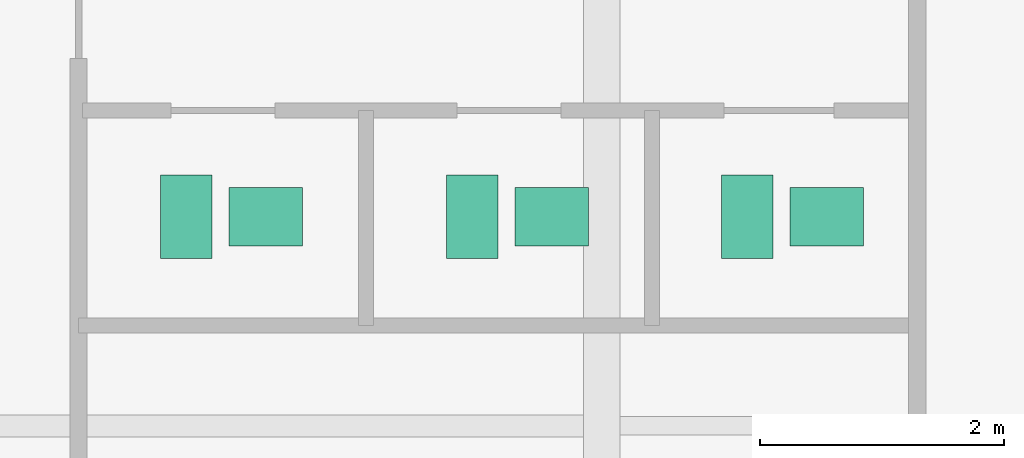
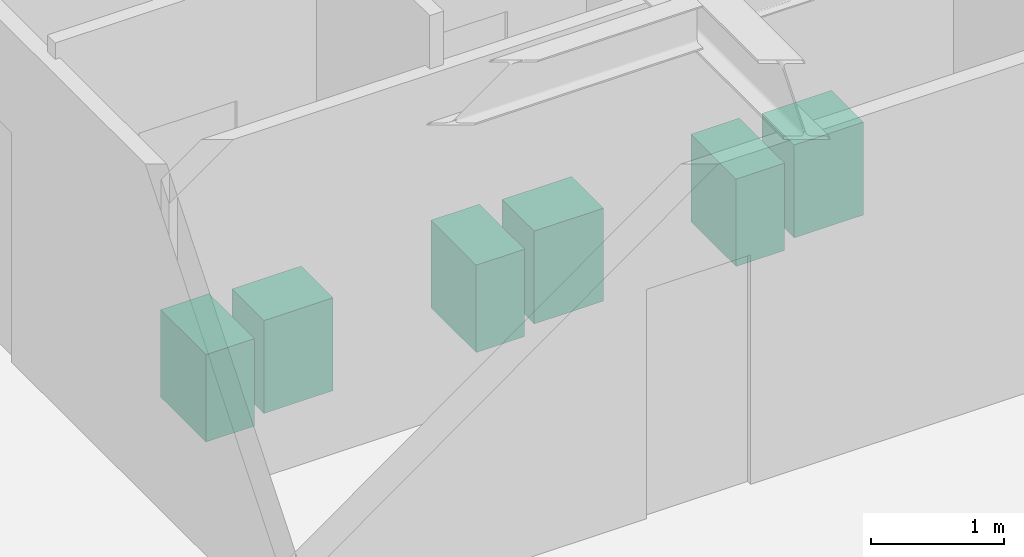
# One storey, part 24 of 24: 6 sanitary terminals.
"""IFC4 building model written with IfcOpenShell, lengths in metres."""

import ifcopenshell
import ifcopenshell.guid

model = None  # the IFC model being written
_history = None  # IfcOwnerHistory: only IFC2X3 demands one
_inside = {}  # id of a spatial element -> (the spatial element, [elements in it])
_under = {}  # id of a project, library or spatial element -> (it, [spatial elements below it])
_declared = {}  # id of a project -> (the project, [libraries it declares])
_typed = {}  # id of a type object -> (the type object, [elements of that type])
_made_of = {}  # id of a material, layer set ... -> (it, [elements and type objects made of it])


def new_model(schema):
    """Start an empty IFC model of exactly this schema.

    Asked for "IFC4X3", IfcOpenShell would pick the latest addendum, in which some entities
    have other attributes; the version numbers below select the first issue.
    IFC2X3 requires an IfcOwnerHistory on every rooted entity: one is made here for all.
    """
    global model, _history
    if schema == "IFC4X3":
        model = ifcopenshell.file(schema_version=(4, 3, 0, 0))
    else:
        model = ifcopenshell.file(schema=schema)
    _inside.clear()
    _under.clear()
    _declared.clear()
    _typed.clear()
    _made_of.clear()
    _history = None
    if model.schema == "IFC2X3":
        org = make("IfcOrganization", Name="unknown")
        user = make(
            "IfcPersonAndOrganization",
            ThePerson=make("IfcPerson", FamilyName="unknown"),
            TheOrganization=org,
        )
        app = make(
            "IfcApplication",
            ApplicationDeveloper=org,
            Version="unknown",
            ApplicationFullName="unknown",
            ApplicationIdentifier="unknown",
        )
        _history = make(
            "IfcOwnerHistory",
            OwningUser=user,
            OwningApplication=app,
            ChangeAction="ADDED",
            CreationDate=0,
        )
    return model


def make(cls, **values):
    """One entity of the class cls with the attributes given. An attribute that is None is left unset."""
    return model.create_entity(
        cls, **{name: value for name, value in values.items() if value is not None}
    )


def rooted(cls, **values):
    """An entity with a GlobalId (a new one), such as an element, a storey or a relation."""
    return make(cls, GlobalId=ifcopenshell.guid.new(), OwnerHistory=_history, **values)


def si_unit(unit_type, name, prefix=None):
    """IfcSIUnit, for example si_unit("LENGTHUNIT", "METRE", prefix="MILLI")."""
    return make("IfcSIUnit", UnitType=unit_type, Prefix=prefix, Name=name)


def assignment(units):
    """IfcUnitAssignment: the units of a project."""
    return None if units is None else make("IfcUnitAssignment", Units=units)


def point(xyz):
    """IfcCartesianPoint."""
    return None if xyz is None else make("IfcCartesianPoint", Coordinates=xyz)


def direction(xyz):
    """IfcDirection."""
    return None if xyz is None else make("IfcDirection", DirectionRatios=xyz)


def frame(location, z_axis=None, x_axis=None):
    """IfcAxis2Placement3D, a coordinate frame: its origin and axes. An axis left out is left unset."""
    return make(
        "IfcAxis2Placement3D",
        Location=point(location),
        Axis=direction(z_axis),
        RefDirection=direction(x_axis),
    )


def frame_2d(location, x_axis=None):
    """IfcAxis2Placement2D, a coordinate frame in the plane: its origin and x axis."""
    return make(
        "IfcAxis2Placement2D", Location=point(location), RefDirection=direction(x_axis)
    )


def origin():
    """The frame at (0, 0, 0) with its axes left unset."""
    return frame((0.0, 0.0, 0.0))


def origin_2d():
    """The frame at (0, 0) in the plane with its x axis left unset."""
    return frame_2d((0.0, 0.0))


def place(relative_to, where):
    """IfcLocalPlacement: puts the frame where relative to a parent placement (None: the world)."""
    return make(
        "IfcLocalPlacement", PlacementRelTo=relative_to, RelativePlacement=where
    )


def context(
    kind, dimensions, precision=None, world=None, true_north=None, identifier=None
):
    """IfcGeometricRepresentationContext, for example the 3D "Model" context."""
    return make(
        "IfcGeometricRepresentationContext",
        ContextIdentifier=identifier,
        ContextType=kind,
        CoordinateSpaceDimension=dimensions,
        Precision=precision,
        WorldCoordinateSystem=world,
        TrueNorth=true_north,
    )


def subcontext(parent, identifier, kind, view, scale=None):
    """IfcGeometricRepresentationSubContext, for example "Body" below "Model"."""
    return make(
        "IfcGeometricRepresentationSubContext",
        ContextIdentifier=identifier,
        ContextType=kind,
        ParentContext=parent,
        TargetScale=scale,
        TargetView=view,
    )


def project(units=None, contexts=None):
    """IfcProject with its units and contexts."""
    return rooted(
        "IfcProject",
        Name="project",
        RepresentationContexts=contexts,
        UnitsInContext=assignment(units),
    )


def spatial(cls, under=None, at=None, **own):
    """A site, building, storey or space (cls), placed at a placement, below another one or the project."""
    s = rooted(cls, ObjectPlacement=at, **own)
    if under is not None:
        _under.setdefault(under.id(), (under, []))[1].append(s)
    return s


def profile(cls, at=None, kind="AREA", **sizes):
    """A parametric profile (cls). Its sizes go by their IFC names, for example OverallWidth=200.0."""
    return make(cls, ProfileType=kind, Position=at, **sizes)


def rectangle(**sizes):
    """IfcRectangleProfileDef."""
    return profile("IfcRectangleProfileDef", **sizes)


def extrude(swept, where, along, depth):
    """IfcExtrudedAreaSolid: the profile swept, set in the frame where, extruded along a direction by depth."""
    return make(
        "IfcExtrudedAreaSolid",
        SweptArea=swept,
        Position=where,
        ExtrudedDirection=direction(along),
        Depth=depth,
    )


def shape(context_of_items, identifier, shape_type, items):
    """IfcShapeRepresentation: the items that make up one representation, for example the "Body"."""
    return make(
        "IfcShapeRepresentation",
        ContextOfItems=context_of_items,
        RepresentationIdentifier=identifier,
        RepresentationType=shape_type,
        Items=items,
    )


def source(mapping_origin, context_of_items, identifier, shape_type, items):
    """IfcRepresentationMap: a shape defined once, which mapped items show again and again."""
    return make(
        "IfcRepresentationMap",
        MappingOrigin=mapping_origin,
        MappedRepresentation=shape(context_of_items, identifier, shape_type, items),
    )


def transform(
    local_origin,
    x_axis=None,
    y_axis=None,
    z_axis=None,
    scale=None,
    scale2=None,
    scale3=None,
    uniform=True,
):
    """IfcCartesianTransformationOperator3D, or its non-uniform kind. x_axis, y_axis, z_axis: its Axis1, 2, 3."""
    if uniform:
        return make(
            "IfcCartesianTransformationOperator3D",
            Axis1=direction(x_axis),
            Axis2=direction(y_axis),
            LocalOrigin=point(local_origin),
            Scale=scale,
            Axis3=direction(z_axis),
        )
    return make(
        "IfcCartesianTransformationOperator3DnonUniform",
        Axis1=direction(x_axis),
        Axis2=direction(y_axis),
        LocalOrigin=point(local_origin),
        Scale=scale,
        Axis3=direction(z_axis),
        Scale2=scale2,
        Scale3=scale3,
    )


def mapped(mapping_source, mapping_target):
    """IfcMappedItem: shows the shape of a source again, moved by a transform."""
    return make(
        "IfcMappedItem", MappingSource=mapping_source, MappingTarget=mapping_target
    )


def material(Name=None, Category=None):
    """IfcMaterial."""
    return make("IfcMaterial", Name=Name, Category=Category)


def made_of(thing, what):
    """Note that an element or type object is made of a material, layer set ...; save() writes the relation."""
    if what is not None:
        _made_of.setdefault(what.id(), (what, []))[1].append(thing)
    return thing


def type_object(cls, material=None, **own):
    """A type object (cls), such as IfcWallType, which elements share."""
    return made_of(rooted(cls, **own), material)


def type_shapes(of_type, sources):
    """Give a type object the sources (RepresentationMaps) that its elements show as mapped items."""
    of_type.RepresentationMaps = sources


def element(
    cls,
    number,
    at=None,
    inside=None,
    cuts=None,
    type_object=None,
    material=None,
    context=None,
    identifier="Body",
    shape_type=None,
    held_by="IfcProductDefinitionShape",
    body=None,
    shapes=None,
    **own,
):
    """One element of the class cls, such as IfcWall. Its Tag is "e" and its number.

    at: its placement. inside: the storey or other place that contains it. cuts: it is an
    opening in that element (IfcRelVoidsElement). A single representation is given by context,
    identifier, shape_type and body (its items); several are given by shapes. held_by: the class
    of the entity that holds the representations. save() writes the other relations.
    """
    e = rooted(cls, Tag="e%d" % number, ObjectPlacement=at, **own)
    if body is not None:
        shapes = [shape(context, identifier, shape_type, body)]
    if shapes is not None:
        e.Representation = make(held_by, Representations=shapes)
    if inside is not None:
        _inside.setdefault(inside.id(), (inside, []))[1].append(e)
    if cuts is not None:
        rooted(
            "IfcRelVoidsElement", RelatingBuildingElement=cuts, RelatedOpeningElement=e
        )
    if type_object is not None:
        _typed.setdefault(type_object.id(), (type_object, []))[1].append(e)
    return made_of(e, material)


def aggregate(whole, parts):
    """IfcRelAggregates: a whole, such as a stair, and the parts it consists of."""
    return rooted("IfcRelAggregates", RelatingObject=whole, RelatedObjects=parts)


def save(model, path):
    """Write the relations noted so far, then the file.

    IfcRelAggregates (storeys below a building ...), IfcRelContainedInSpatialStructure (elements
    in a storey), IfcRelDefinesByType, IfcRelAssociatesMaterial and IfcRelDeclares: one each for
    every whole, place, type object, material and project.
    """
    for whole, parts in _under.values():
        aggregate(whole, parts)
    for where, things in _inside.values():
        rooted(
            "IfcRelContainedInSpatialStructure",
            RelatedElements=things,
            RelatingStructure=where,
        )
    for kind, things in _typed.values():
        rooted("IfcRelDefinesByType", RelatedObjects=things, RelatingType=kind)
    for what, things in _made_of.values():
        rooted("IfcRelAssociatesMaterial", RelatedObjects=things, RelatingMaterial=what)
    for by, libraries in _declared.values():
        rooted("IfcRelDeclares", RelatingContext=by, RelatedDefinitions=libraries)
    model.write(path)


model = new_model("IFC4")

# Units and contexts
model_context = context("Model", 3, precision=1e-05, world=origin(), true_north=direction((0.0, 1.0)))
body_context = subcontext(model_context, "Body", "Model", "MODEL_VIEW")
ifc_project = project(units=[si_unit("LENGTHUNIT", "METRE"), si_unit("AREAUNIT", "SQUARE_METRE"), si_unit("VOLUMEUNIT", "CUBIC_METRE"), si_unit("PLANEANGLEUNIT", "RADIAN"), si_unit("MASSUNIT", "GRAM", prefix="KILO")], contexts=[model_context])

# Site, building, storey
site_placement = place(None, origin())
site = spatial("IfcSite", under=ifc_project, at=site_placement, CompositionType="ELEMENT")
building_placement = place(site_placement, origin())
building = spatial("IfcBuilding", under=site, at=building_placement, Name="Krantzveldt Concourse Tower", CompositionType="ELEMENT")
storey_placement = place(building_placement, frame((0.0, 0.0, 246.800048828125)))
storey = spatial("IfcBuildingStorey", under=building, at=storey_placement, Name="L60", CompositionType="ELEMENT", Elevation=246.800048828125)

# Sanitary terminals
ifc_material = material(Name="Vitreous china", Category="ceramic")
sanitary_terminal_type_1 = type_object("IfcSanitaryTerminalType", Name="SAN-WC-SUITE", PredefinedType="TOILETPAN", material=ifc_material)
shared_shape_1 = source(origin(), body_context, "Body", "SweptSolid", [
    extrude(rectangle(XDim=0.419921875, YDim=0.679931640625, at=origin_2d()), origin(), (0.0, 0.0, 1.0), 0.800048828125),
])
type_shapes(sanitary_terminal_type_1, [shared_shape_1])
for number, where, z_axis, x_axis, name in (
    (1, (38.0, 31.909912109375, 0.0), (0.0, 0.0, 1.0), (1.0, 0.0, 0.0), "WC-SP-L60-WCM"),
    (2, (40.340087890625, 31.909912109375, 0.0), (0.0, 0.0, 1.0), (1.0, 0.0, 0.0), "WC-SP-L60-WCF"),
    (3, (42.590087890625, 31.909912109375, 0.0), (0.0, 0.0, 1.0), (1.0, 0.0, 0.0), "WC-SP-L60-WCA"),
):
    element("IfcSanitaryTerminal", number, at=place(storey_placement, frame(where, z_axis=z_axis, x_axis=x_axis)), inside=storey, type_object=sanitary_terminal_type_1, Name=name, PredefinedType="TOILETPAN", context=body_context, shape_type="MappedRepresentation", body=[
        mapped(shared_shape_1, transform((0.0, 0.0, 0.0), x_axis=(1.0, 0.0, 0.0), y_axis=(0.0, 1.0, 0.0), z_axis=(0.0, 0.0, 1.0), scale=1.0)),
    ])
sanitary_terminal_type_2 = type_object("IfcSanitaryTerminalType", Name="SAN-BASIN-600", PredefinedType="WASHHANDBASIN", material=ifc_material)
shared_shape_2 = source(origin(), body_context, "Body", "SweptSolid", [
    extrude(rectangle(XDim=0.60009765625, YDim=0.47998046875, at=origin_2d()), origin(), (0.0, 0.0, 1.0), 0.85009765625),
])
type_shapes(sanitary_terminal_type_2, [shared_shape_2])
for number, where, z_axis, x_axis, name in (
    (4, (38.64990234375, 31.909912109375, 0.0048828125), (0.0, 0.0, 1.0), (1.0, 0.0, 0.0), "BSN-SP-L60-WCM"),
    (5, (40.989990234375, 31.909912109375, 0.0048828125), (0.0, 0.0, 1.0), (1.0, 0.0, 0.0), "BSN-SP-L60-WCF"),
    (6, (43.239990234375, 31.909912109375, 0.0048828125), (0.0, 0.0, 1.0), (1.0, 0.0, 0.0), "BSN-SP-L60-WCA"),
):
    element("IfcSanitaryTerminal", number, at=place(storey_placement, frame(where, z_axis=z_axis, x_axis=x_axis)), inside=storey, type_object=sanitary_terminal_type_2, Name=name, PredefinedType="WASHHANDBASIN", context=body_context, shape_type="MappedRepresentation", body=[
        mapped(shared_shape_2, transform((0.0, 0.0, 0.0), x_axis=(1.0, 0.0, 0.0), y_axis=(0.0, 1.0, 0.0), z_axis=(0.0, 0.0, 1.0), scale=1.0)),
    ])

save(model, "model.ifc")
